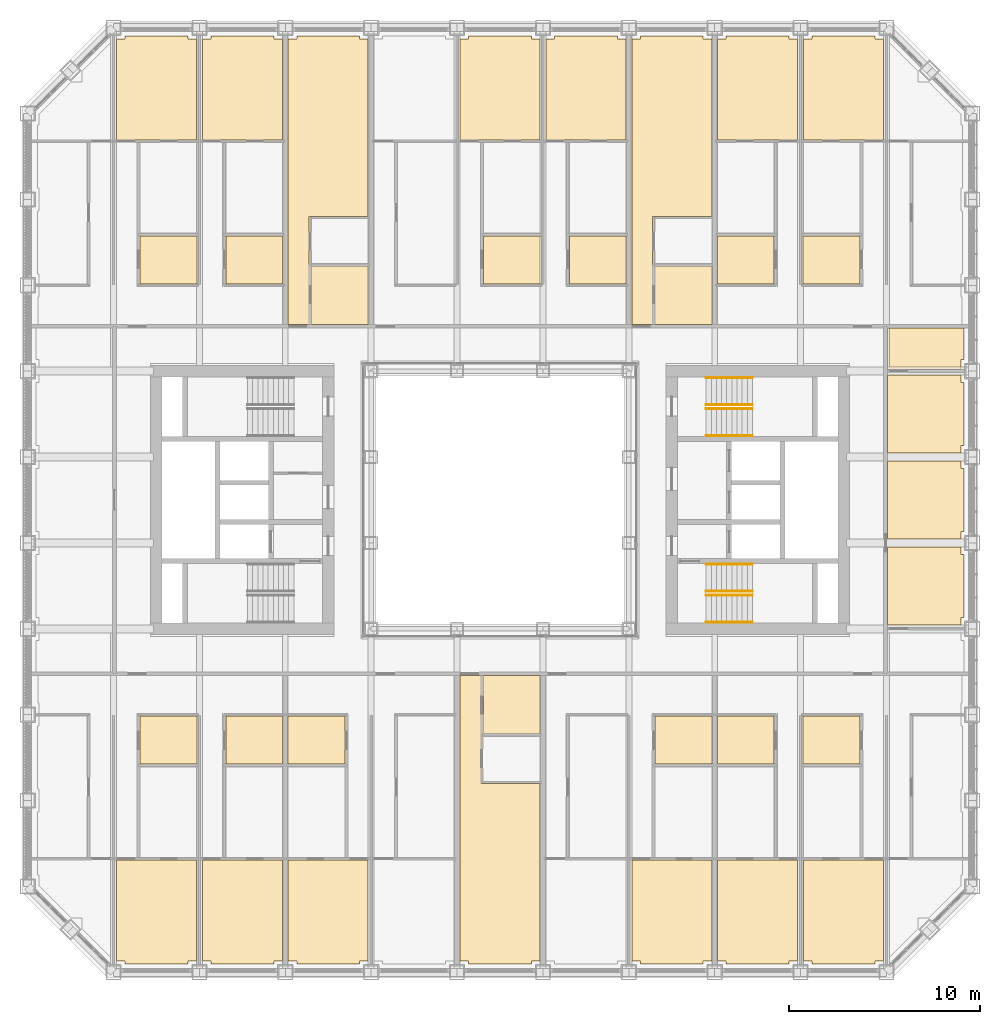
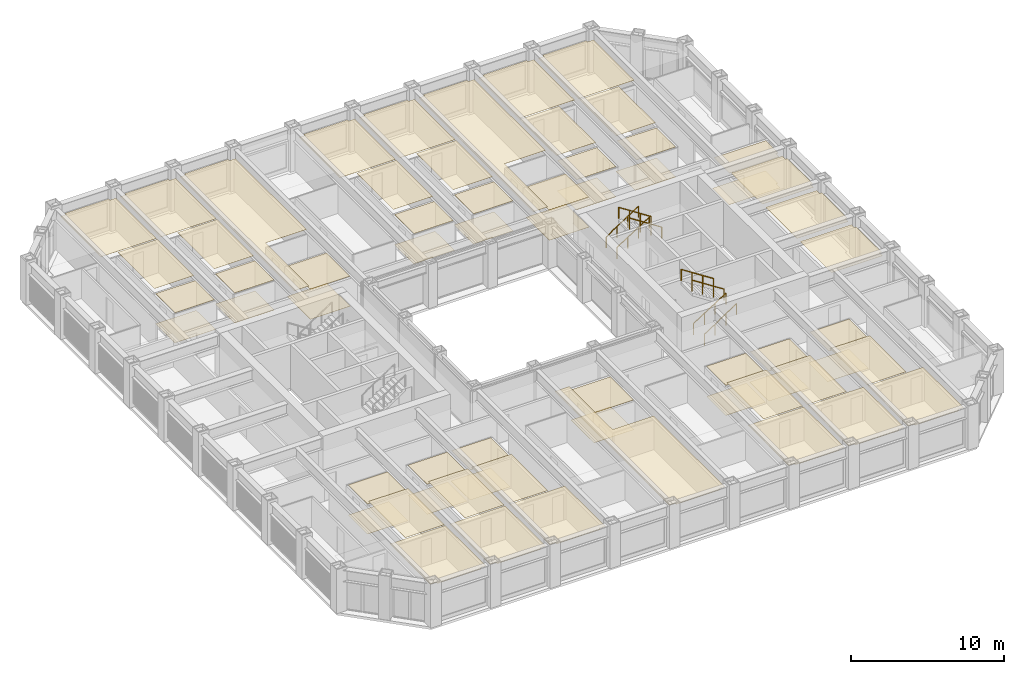
# One storey, part 19 of 20: 8 railings, 3 coverings.
"""IFC4 building model written with IfcOpenShell, lengths in metres."""

from ifc_helpers import new_model, si_unit, direction, frame, origin, origin_2d, place, context, subcontext, project, spatial, line, indexed_curve, circle, outline, extrude, material, layer, layer_set, type_object, element, save


model = new_model("IFC4")

# Units and contexts
model_context = context("Model", 3, precision=1e-05, world=origin(), true_north=direction((0.0, 1.0)))
body_context = subcontext(model_context, "Body", "Model", "MODEL_VIEW")
ifc_project = project(units=[si_unit("LENGTHUNIT", "METRE"), si_unit("AREAUNIT", "SQUARE_METRE"), si_unit("VOLUMEUNIT", "CUBIC_METRE"), si_unit("PLANEANGLEUNIT", "RADIAN"), si_unit("MASSUNIT", "GRAM", prefix="KILO")], contexts=[model_context])

# Site, building, storey
site_placement = place(None, origin())
site = spatial("IfcSite", under=ifc_project, at=site_placement, CompositionType="ELEMENT")
building_placement = place(site_placement, origin())
building = spatial("IfcBuilding", under=site, at=building_placement, Name="Msasa Ring Tower", CompositionType="ELEMENT")
storey_placement = place(building_placement, frame((0.0, 0.0, 58.0)))
storey = spatial("IfcBuildingStorey", under=building, at=storey_placement, Name="L14", CompositionType="ELEMENT", Elevation=58.0)

# Coverings
ifc_material_1 = material(Name="Gypsum plasterboard on a steel suspension grid", Category="steel")
ifc_layer_1 = layer(ifc_material_1, 0.014892578125)
ifc_layer_set_1 = layer_set([ifc_layer_1], Name="C1 SUSPENDED PLASTERBOARD CEILING 15")
covering_type_1 = type_object("IfcCoveringType", Name="C1 SUSPENDED PLASTERBOARD CEILING 15", PredefinedType="CEILING", material=ifc_layer_set_1)
covering_1_placement = place(storey_placement, frame((0.0, 0.0, 2.699951171875)))
element("IfcCovering", 1, at=covering_1_placement, inside=storey, type_object=covering_type_1, Name="Suspended Plasterboard Ceiling 15 L14", PredefinedType="CEILING", context=body_context, shape_type="SweptSolid", body=[
    extrude(outline(indexed_curve([(-15.904296875, -18.85546875), (-15.904296875, -24.1494140625), (-16.3505859375, -24.1494140625), (-16.3505859375, -24.299560546875), (-19.6494140625, -24.299560546875), (-19.6494140625, -24.1494140625), (-20.095703125, -24.1494140625), (-20.095703125, -18.85546875)], segments=[line(1, 2, 3, 4, 5, 6, 7, 8, 1)], self_intersect=False)), origin(), (0.0, 0.0, 1.0), 0.01513671875),
    extrude(outline(indexed_curve([(-20.095703125, 18.85546875), (-20.095703125, 24.1494140625), (-19.6494140625, 24.1494140625), (-19.6494140625, 24.299560546875), (-16.3505859375, 24.299560546875), (-16.3505859375, 24.1494140625), (-15.904296875, 24.1494140625), (-15.904296875, 18.85546875)], segments=[line(1, 2, 3, 4, 5, 6, 7, 8, 1)], self_intersect=False)), origin(), (0.0, 0.0, 1.0), 0.01513671875),
    extrude(outline(indexed_curve([(-15.904296875, -13.98046875), (-15.904296875, -18.744384765625), (-18.869384765625, -18.744384765625), (-18.869384765625, -13.98046875)], segments=[line(1, 2, 3, 4, 1)], self_intersect=False)), origin(), (0.0, 0.0, 1.0), 0.01513671875),
    extrude(outline(indexed_curve([(-18.869384765625, 18.744384765625), (-15.904296875, 18.744384765625), (-15.904296875, 13.98046875), (-18.869384765625, 13.98046875)], segments=[line(1, 2, 3, 4, 1)], self_intersect=False)), origin(), (0.0, 0.0, 1.0), 0.01513671875),
    extrude(outline(indexed_curve([(-15.1494140625, -24.299560546875), (-15.1494140625, -24.1494140625), (-15.595703125, -24.1494140625), (-15.595703125, -18.85546875), (-11.404296875, -18.85546875), (-11.404296875, -24.1494140625), (-11.8505859375, -24.1494140625), (-11.8505859375, -24.299560546875)], segments=[line(1, 2, 3, 4, 5, 6, 7, 8, 1)], self_intersect=False)), origin(), (0.0, 0.0, 1.0), 0.01513671875),
    extrude(outline(indexed_curve([(-11.8505859375, 24.299560546875), (-11.8505859375, 24.1494140625), (-11.404296875, 24.1494140625), (-11.404296875, 18.85546875), (-15.595703125, 18.85546875), (-15.595703125, 24.1494140625), (-15.1494140625, 24.1494140625), (-15.1494140625, 24.299560546875)], segments=[line(1, 2, 3, 4, 5, 6, 7, 8, 1)], self_intersect=False)), origin(), (0.0, 0.0, 1.0), 0.01513671875),
    extrude(outline(indexed_curve([(-11.404296875, -13.98046875), (-11.404296875, -18.744384765625), (-14.369384765625, -18.744384765625), (-14.369384765625, -13.98046875)], segments=[line(1, 2, 3, 4, 1)], self_intersect=False)), origin(), (0.0, 0.0, 1.0), 0.01513671875),
    extrude(outline(indexed_curve([(-11.404296875, 18.744384765625), (-11.404296875, 13.98046875), (-14.369384765625, 13.98046875), (-14.369384765625, 18.744384765625)], segments=[line(1, 2, 3, 4, 1)], self_intersect=False)), origin(), (0.0, 0.0, 1.0), 0.01513671875),
    extrude(outline(indexed_curve([(-10.6494140625, -24.299560546875), (-10.6494140625, -24.1494140625), (-11.095703125, -24.1494140625), (-11.095703125, -18.85546875), (-6.904296875, -18.85546875), (-6.904296875, -24.1494140625), (-7.3505859375, -24.1494140625), (-7.3505859375, -24.299560546875)], segments=[line(1, 2, 3, 4, 5, 6, 7, 8, 1)], self_intersect=False)), origin(), (0.0, 0.0, 1.0), 0.01513671875),
    extrude(outline(indexed_curve([(-8.130615234375, -13.98046875), (-8.130615234375, -18.744384765625), (-11.095703125, -18.744384765625), (-11.095703125, -13.98046875)], segments=[line(1, 2, 3, 4, 1)], self_intersect=False)), origin(), (0.0, 0.0, 1.0), 0.01513671875),
    extrude(outline(indexed_curve([(-7.3505859375, 24.299560546875), (-7.3505859375, 24.1494140625), (-6.904296875, 24.1494140625), (-6.904296875, 14.8505859375), (-10.00048828125, 14.8505859375), (-10.00048828125, 9.200439453125), (-11.095703125, 9.200439453125), (-11.095703125, 24.1494140625), (-10.6494140625, 24.1494140625), (-10.6494140625, 24.299560546875)], segments=[line(1, 2, 3, 4, 5, 6, 7, 8, 9, 10, 1)], self_intersect=False)), origin(), (0.0, 0.0, 1.0), 0.01513671875),
    extrude(outline(indexed_curve([(-1.00048828125, -9.200439453125), (-1.00048828125, -14.8505859375), (2.095703125, -14.8505859375), (2.095703125, -24.1494140625), (1.6494140625, -24.1494140625), (1.6494140625, -24.299560546875), (-1.6494140625, -24.299560546875), (-1.6494140625, -24.1494140625), (-2.095703125, -24.1494140625), (-2.095703125, -9.200439453125)], segments=[line(1, 2, 3, 4, 5, 6, 7, 8, 9, 10, 1)], self_intersect=False)), origin(), (0.0, 0.0, 1.0), 0.01513671875),
    extrude(outline(indexed_curve([(1.6494140625, 24.299560546875), (1.6494140625, 24.1494140625), (2.095703125, 24.1494140625), (2.095703125, 18.85546875), (-2.095703125, 18.85546875), (-2.095703125, 24.1494140625), (-1.6494140625, 24.1494140625), (-1.6494140625, 24.299560546875)], segments=[line(1, 2, 3, 4, 5, 6, 7, 8, 1)], self_intersect=False)), origin(), (0.0, 0.0, 1.0), 0.01513671875),
    extrude(outline(indexed_curve([(2.095703125, 18.744384765625), (2.095703125, 13.98046875), (-0.869384765625, 13.98046875), (-0.869384765625, 18.744384765625)], segments=[line(1, 2, 3, 4, 1)], self_intersect=False)), origin(), (0.0, 0.0, 1.0), 0.01513671875),
    extrude(outline(indexed_curve([(6.1494140625, 24.299560546875), (6.1494140625, 24.1494140625), (6.595703125, 24.1494140625), (6.595703125, 18.85546875), (2.404296875, 18.85546875), (2.404296875, 24.1494140625), (2.8505859375, 24.1494140625), (2.8505859375, 24.299560546875)], segments=[line(1, 2, 3, 4, 5, 6, 7, 8, 1)], self_intersect=False)), origin(), (0.0, 0.0, 1.0), 0.01513671875),
    extrude(outline(indexed_curve([(3.630615234375, 18.744384765625), (6.595703125, 18.744384765625), (6.595703125, 13.98046875), (3.630615234375, 13.98046875)], segments=[line(1, 2, 3, 4, 1)], self_intersect=False)), origin(), (0.0, 0.0, 1.0), 0.01513671875),
    extrude(outline(indexed_curve([(11.095703125, -18.85546875), (11.095703125, -24.1494140625), (10.6494140625, -24.1494140625), (10.6494140625, -24.299560546875), (7.3505859375, -24.299560546875), (7.3505859375, -24.1494140625), (6.904296875, -24.1494140625), (6.904296875, -18.85546875)], segments=[line(1, 2, 3, 4, 5, 6, 7, 8, 1)], self_intersect=False)), origin(), (0.0, 0.0, 1.0), 0.01513671875),
    extrude(outline(indexed_curve([(10.6494140625, 24.299560546875), (10.6494140625, 24.1494140625), (11.095703125, 24.1494140625), (11.095703125, 14.8505859375), (7.99951171875, 14.8505859375), (7.99951171875, 9.200439453125), (6.904296875, 9.200439453125), (6.904296875, 24.1494140625), (7.3505859375, 24.1494140625), (7.3505859375, 24.299560546875)], segments=[line(1, 2, 3, 4, 5, 6, 7, 8, 9, 10, 1)], self_intersect=False)), origin(), (0.0, 0.0, 1.0), 0.01513671875),
    extrude(outline(indexed_curve([(11.095703125, -13.98046875), (11.095703125, -18.744384765625), (8.130615234375, -18.744384765625), (8.130615234375, -13.98046875)], segments=[line(1, 2, 3, 4, 1)], self_intersect=False)), origin(), (0.0, 0.0, 1.0), 0.01513671875),
    extrude(outline(indexed_curve([(11.8505859375, -24.299560546875), (11.8505859375, -24.1494140625), (11.404296875, -24.1494140625), (11.404296875, -18.85546875), (15.595703125, -18.85546875), (15.595703125, -24.1494140625), (15.1494140625, -24.1494140625), (15.1494140625, -24.299560546875)], segments=[line(1, 2, 3, 4, 5, 6, 7, 8, 1)], self_intersect=False)), origin(), (0.0, 0.0, 1.0), 0.01513671875),
    extrude(outline(indexed_curve([(14.369384765625, -13.98046875), (14.369384765625, -18.744384765625), (11.404296875, -18.744384765625), (11.404296875, -13.98046875)], segments=[line(1, 2, 3, 4, 1)], self_intersect=False)), origin(), (0.0, 0.0, 1.0), 0.01513671875),
    extrude(outline(indexed_curve([(14.369384765625, 18.744384765625), (14.369384765625, 13.98046875), (11.404296875, 13.98046875), (11.404296875, 18.744384765625)], segments=[line(1, 2, 3, 4, 1)], self_intersect=False)), origin(), (0.0, 0.0, 1.0), 0.01513671875),
    extrude(outline(indexed_curve([(15.1494140625, 24.299560546875), (15.1494140625, 24.1494140625), (15.595703125, 24.1494140625), (15.595703125, 18.85546875), (11.404296875, 18.85546875), (11.404296875, 24.1494140625), (11.8505859375, 24.1494140625), (11.8505859375, 24.299560546875)], segments=[line(1, 2, 3, 4, 5, 6, 7, 8, 1)], self_intersect=False)), origin(), (0.0, 0.0, 1.0), 0.01513671875),
    extrude(outline(indexed_curve([(20.095703125, -18.85546875), (20.095703125, -24.1494140625), (19.6494140625, -24.1494140625), (19.6494140625, -24.299560546875), (16.3505859375, -24.299560546875), (16.3505859375, -24.1494140625), (15.904296875, -24.1494140625), (15.904296875, -18.85546875)], segments=[line(1, 2, 3, 4, 5, 6, 7, 8, 1)], self_intersect=False)), origin(), (0.0, 0.0, 1.0), 0.01513671875),
    extrude(outline(indexed_curve([(18.869384765625, -13.98046875), (18.869384765625, -18.744384765625), (15.904296875, -18.744384765625), (15.904296875, -13.98046875)], segments=[line(1, 2, 3, 4, 1)], self_intersect=False)), origin(), (0.0, 0.0, 1.0), 0.01513671875),
    extrude(outline(indexed_curve([(18.869384765625, 18.744384765625), (18.869384765625, 13.98046875), (15.904296875, 13.98046875), (15.904296875, 18.744384765625)], segments=[line(1, 2, 3, 4, 1)], self_intersect=False)), origin(), (0.0, 0.0, 1.0), 0.01513671875),
    extrude(outline(indexed_curve([(15.904296875, 18.85546875), (15.904296875, 24.1494140625), (16.3505859375, 24.1494140625), (16.3505859375, 24.299560546875), (19.6494140625, 24.299560546875), (19.6494140625, 24.1494140625), (20.095703125, 24.1494140625), (20.095703125, 18.85546875)], segments=[line(1, 2, 3, 4, 5, 6, 7, 8, 1)], self_intersect=False)), origin(), (0.0, 0.0, 1.0), 0.01513671875),
    extrude(outline(indexed_curve([(20.300537109375, -2.460693359375), (24.1494140625, -2.460693359375), (24.1494140625, -2.8505859375), (24.299560546875, -2.8505859375), (24.299560546875, -6.1494140625), (24.1494140625, -6.1494140625), (24.1494140625, -6.539306640625), (20.300537109375, -6.539306640625)], segments=[line(1, 2, 3, 4, 5, 6, 7, 8, 1)], self_intersect=False)), origin(), (0.0, 0.0, 1.0), 0.01513671875),
    extrude(outline(indexed_curve([(20.300537109375, 2.039306640625), (24.1494140625, 2.039306640625), (24.1494140625, 1.6494140625), (24.299560546875, 1.6494140625), (24.299560546875, -1.6494140625), (24.1494140625, -1.6494140625), (24.1494140625, -2.039306640625), (20.300537109375, -2.039306640625)], segments=[line(1, 2, 3, 4, 5, 6, 7, 8, 1)], self_intersect=False)), origin(), (0.0, 0.0, 1.0), 0.01513671875),
    extrude(outline(indexed_curve([(20.300537109375, 6.539306640625), (24.1494140625, 6.539306640625), (24.1494140625, 6.1494140625), (24.299560546875, 6.1494140625), (24.299560546875, 2.8505859375), (24.1494140625, 2.8505859375), (24.1494140625, 2.460693359375), (20.300537109375, 2.460693359375)], segments=[line(1, 2, 3, 4, 5, 6, 7, 8, 1)], self_intersect=False)), origin(), (0.0, 0.0, 1.0), 0.01513671875),
])
ifc_material_2 = material(Name="Moisture-resistant gypsum plasterboard on a steel suspension grid", Category="steel")
ifc_layer_2 = layer(ifc_material_2, 0.014892578125)
ifc_layer_set_2 = layer_set([ifc_layer_2], Name="C2 MOISTURE-RESISTANT PLASTERBOARD CEILING 15")
covering_type_2 = type_object("IfcCoveringType", Name="C2 MOISTURE-RESISTANT PLASTERBOARD CEILING 15", PredefinedType="CEILING", material=ifc_layer_set_2)
covering_2_placement = place(storey_placement, frame((0.0, 0.0, 2.39990234375)))
element("IfcCovering", 2, at=covering_2_placement, inside=storey, type_object=covering_type_2, Name="Moisture-Resistant Plasterboard Ceiling 15 L14", PredefinedType="CEILING", context=body_context, shape_type="SweptSolid", body=[
    extrude(outline(indexed_curve([(-18.869384765625, -11.305419921875), (-15.904296875, -11.305419921875), (-15.904296875, -13.819580078125), (-18.869384765625, -13.819580078125)], segments=[line(1, 2, 3, 4, 1)], self_intersect=False)), origin(), (0.0, 0.0, 1.0), 0.01513671875),
    extrude(outline(indexed_curve([(-18.869384765625, 13.819580078125), (-15.904296875, 13.819580078125), (-15.904296875, 11.305419921875), (-18.869384765625, 11.305419921875)], segments=[line(1, 2, 3, 4, 1)], self_intersect=False)), origin(), (0.0, 0.0, 1.0), 0.01513671875),
    extrude(outline(indexed_curve([(-14.369384765625, -11.305419921875), (-11.404296875, -11.305419921875), (-11.404296875, -13.819580078125), (-14.369384765625, -13.819580078125)], segments=[line(1, 2, 3, 4, 1)], self_intersect=False)), origin(), (0.0, 0.0, 1.0), 0.01513671875),
    extrude(outline(indexed_curve([(-14.369384765625, 13.819580078125), (-11.404296875, 13.819580078125), (-11.404296875, 11.305419921875), (-14.369384765625, 11.305419921875)], segments=[line(1, 2, 3, 4, 1)], self_intersect=False)), origin(), (0.0, 0.0, 1.0), 0.01513671875),
    extrude(outline(indexed_curve([(-8.130615234375, -11.305419921875), (-8.130615234375, -13.819580078125), (-11.095703125, -13.819580078125), (-11.095703125, -11.305419921875)], segments=[line(1, 2, 3, 4, 1)], self_intersect=False)), origin(), (0.0, 0.0, 1.0), 0.01513671875),
    extrude(outline(indexed_curve([(-9.8994140625, 12.24951171875), (-6.904296875, 12.24951171875), (-6.904296875, 9.200439453125), (-9.8994140625, 9.200439453125)], segments=[line(1, 2, 3, 4, 1)], self_intersect=False)), origin(), (0.0, 0.0, 1.0), 0.01513671875),
    extrude(outline(indexed_curve([(-0.8994140625, -9.200439453125), (2.095703125, -9.200439453125), (2.095703125, -12.24951171875), (-0.8994140625, -12.24951171875)], segments=[line(1, 2, 3, 4, 1)], self_intersect=False)), origin(), (0.0, 0.0, 1.0), 0.01513671875),
    extrude(outline(indexed_curve([(-0.869384765625, 13.819580078125), (2.095703125, 13.819580078125), (2.095703125, 11.305419921875), (-0.869384765625, 11.305419921875)], segments=[line(1, 2, 3, 4, 1)], self_intersect=False)), origin(), (0.0, 0.0, 1.0), 0.01513671875),
    extrude(outline(indexed_curve([(3.630615234375, 13.819580078125), (6.595703125, 13.819580078125), (6.595703125, 11.305419921875), (3.630615234375, 11.305419921875)], segments=[line(1, 2, 3, 4, 1)], self_intersect=False)), origin(), (0.0, 0.0, 1.0), 0.01513671875),
    extrude(outline(indexed_curve([(8.1005859375, 12.24951171875), (11.095703125, 12.24951171875), (11.095703125, 9.200439453125), (8.1005859375, 9.200439453125)], segments=[line(1, 2, 3, 4, 1)], self_intersect=False)), origin(), (0.0, 0.0, 1.0), 0.01513671875),
    extrude(outline(indexed_curve([(8.130615234375, -11.305419921875), (11.095703125, -11.305419921875), (11.095703125, -13.819580078125), (8.130615234375, -13.819580078125)], segments=[line(1, 2, 3, 4, 1)], self_intersect=False)), origin(), (0.0, 0.0, 1.0), 0.01513671875),
    extrude(outline(indexed_curve([(14.369384765625, -11.305419921875), (14.369384765625, -13.819580078125), (11.404296875, -13.819580078125), (11.404296875, -11.305419921875)], segments=[line(1, 2, 3, 4, 1)], self_intersect=False)), origin(), (0.0, 0.0, 1.0), 0.01513671875),
    extrude(outline(indexed_curve([(14.369384765625, 13.819580078125), (14.369384765625, 11.305419921875), (11.404296875, 11.305419921875), (11.404296875, 13.819580078125)], segments=[line(1, 2, 3, 4, 1)], self_intersect=False)), origin(), (0.0, 0.0, 1.0), 0.01513671875),
    extrude(outline(indexed_curve([(18.869384765625, -11.305419921875), (18.869384765625, -13.819580078125), (15.904296875, -13.819580078125), (15.904296875, -11.305419921875)], segments=[line(1, 2, 3, 4, 1)], self_intersect=False)), origin(), (0.0, 0.0, 1.0), 0.01513671875),
    extrude(outline(indexed_curve([(18.869384765625, 13.819580078125), (18.869384765625, 11.305419921875), (15.904296875, 11.305419921875), (15.904296875, 13.819580078125)], segments=[line(1, 2, 3, 4, 1)], self_intersect=False)), origin(), (0.0, 0.0, 1.0), 0.01513671875),
    extrude(outline(indexed_curve([(24.299560546875, 8.99951171875), (24.299560546875, 7.3505859375), (24.1494140625, 7.3505859375), (24.1494140625, 6.960693359375), (20.404296875, 6.960693359375), (20.404296875, 8.99951171875)], segments=[line(1, 2, 3, 4, 5, 6, 1)], self_intersect=False)), origin(), (0.0, 0.0, 1.0), 0.01513671875),
])
ifc_material_3 = material(Name="Porcelain floor tiles in adhesive", Category="ceramic")
ifc_layer_3 = layer(ifc_material_3, 0.010009765625)
ifc_layer_set_3 = layer_set([ifc_layer_3], Name="F4 PORCELAIN TILE ON ADHESIVE 10")
covering_type_3 = type_object("IfcCoveringType", Name="F4 PORCELAIN TILE ON ADHESIVE 10", PredefinedType="FLOORING", material=ifc_layer_set_3)
covering_3_placement = place(storey_placement, origin())
element("IfcCovering", 3, at=covering_3_placement, inside=storey, type_object=covering_type_3, Name="Porcelain Tile On Adhesive 10 L14", PredefinedType="FLOORING", context=body_context, shape_type="SweptSolid", body=[
    extrude(outline(indexed_curve([(-15.810546875, -11.305419921875), (-15.810546875, -13.819580078125), (-18.869384765625, -13.819580078125), (-18.869384765625, -11.305419921875)], segments=[line(1, 2, 3, 4, 1)], self_intersect=False)), origin(), (0.0, 0.0, 1.0), 0.010009765625),
    extrude(outline(indexed_curve([(-15.810546875, 13.819580078125), (-15.810546875, 11.305419921875), (-18.869384765625, 11.305419921875), (-18.869384765625, 13.819580078125)], segments=[line(1, 2, 3, 4, 1)], self_intersect=False)), origin(), (0.0, 0.0, 1.0), 0.010009765625),
    extrude(outline(indexed_curve([(-11.37548828125, -11.305419921875), (-11.37548828125, -13.819580078125), (-14.369384765625, -13.819580078125), (-14.369384765625, -11.305419921875)], segments=[line(1, 2, 3, 4, 1)], self_intersect=False)), origin(), (0.0, 0.0, 1.0), 0.010009765625),
    extrude(outline(indexed_curve([(-11.37548828125, 13.819580078125), (-11.37548828125, 11.305419921875), (-14.369384765625, 11.305419921875), (-14.369384765625, 13.819580078125)], segments=[line(1, 2, 3, 4, 1)], self_intersect=False)), origin(), (0.0, 0.0, 1.0), 0.010009765625),
    extrude(outline(indexed_curve([(-8.130615234375, -11.305419921875), (-8.130615234375, -13.819580078125), (-11.12451171875, -13.819580078125), (-11.12451171875, -11.305419921875)], segments=[line(1, 2, 3, 4, 1)], self_intersect=False)), origin(), (0.0, 0.0, 1.0), 0.010009765625),
    extrude(outline(indexed_curve([(-9.87451171875, 9.200439453125), (-9.87451171875, 12.224609375), (-6.87548828125, 12.224609375), (-6.87548828125, 9.200439453125)], segments=[line(1, 2, 3, 4, 1)], self_intersect=False)), origin(), (0.0, 0.0, 1.0), 0.010009765625),
    extrude(outline(indexed_curve([(2.12451171875, -9.200439453125), (2.12451171875, -12.224609375), (-0.87451171875, -12.224609375), (-0.87451171875, -9.200439453125)], segments=[line(1, 2, 3, 4, 1)], self_intersect=False)), origin(), (0.0, 0.0, 1.0), 0.010009765625),
    extrude(outline(indexed_curve([(2.189453125, 13.819580078125), (2.189453125, 11.305419921875), (-0.869384765625, 11.305419921875), (-0.869384765625, 13.819580078125)], segments=[line(1, 2, 3, 4, 1)], self_intersect=False)), origin(), (0.0, 0.0, 1.0), 0.010009765625),
    extrude(outline(indexed_curve([(6.62451171875, 13.819580078125), (6.62451171875, 11.305419921875), (3.630615234375, 11.305419921875), (3.630615234375, 13.819580078125)], segments=[line(1, 2, 3, 4, 1)], self_intersect=False)), origin(), (0.0, 0.0, 1.0), 0.010009765625),
    extrude(outline(indexed_curve([(8.12548828125, 9.200439453125), (8.12548828125, 12.224609375), (11.12451171875, 12.224609375), (11.12451171875, 9.200439453125)], segments=[line(1, 2, 3, 4, 1)], self_intersect=False)), origin(), (0.0, 0.0, 1.0), 0.010009765625),
    extrude(outline(indexed_curve([(11.12451171875, -11.305419921875), (11.12451171875, -13.819580078125), (8.130615234375, -13.819580078125), (8.130615234375, -11.305419921875)], segments=[line(1, 2, 3, 4, 1)], self_intersect=False)), origin(), (0.0, 0.0, 1.0), 0.010009765625),
    extrude(outline(indexed_curve([(14.369384765625, -11.305419921875), (14.369384765625, -13.819580078125), (11.37548828125, -13.819580078125), (11.37548828125, -11.305419921875)], segments=[line(1, 2, 3, 4, 1)], self_intersect=False)), origin(), (0.0, 0.0, 1.0), 0.010009765625),
    extrude(outline(indexed_curve([(14.369384765625, 13.819580078125), (14.369384765625, 11.305419921875), (11.37548828125, 11.305419921875), (11.37548828125, 13.819580078125)], segments=[line(1, 2, 3, 4, 1)], self_intersect=False)), origin(), (0.0, 0.0, 1.0), 0.010009765625),
    extrude(outline(indexed_curve([(18.869384765625, -11.305419921875), (18.869384765625, -13.819580078125), (15.810546875, -13.819580078125), (15.810546875, -11.305419921875)], segments=[line(1, 2, 3, 4, 1)], self_intersect=False)), origin(), (0.0, 0.0, 1.0), 0.010009765625),
    extrude(outline(indexed_curve([(18.869384765625, 13.819580078125), (18.869384765625, 11.305419921875), (15.810546875, 11.305419921875), (15.810546875, 13.819580078125)], segments=[line(1, 2, 3, 4, 1)], self_intersect=False)), origin(), (0.0, 0.0, 1.0), 0.010009765625),
    extrude(outline(indexed_curve([(20.300537109375, 8.99951171875), (24.299560546875, 8.99951171875), (24.299560546875, 7.3505859375), (24.1494140625, 7.3505859375), (24.1494140625, 6.83056640625), (20.300537109375, 6.83056640625)], segments=[line(1, 2, 3, 4, 5, 6, 1)], self_intersect=False)), origin(), (0.0, 0.0, 1.0), 0.010009765625),
])

# Railings
ifc_material_4 = material(Name="Stainless steel", Category="steel")
railing_type = type_object("IfcRailingType", Name="HR1 HANDRAIL 900", PredefinedType="HANDRAIL", material=ifc_material_4)
for number, where, name in (
    (4, (10.800048828125, -6.39990234375, 0.175048828125), "Handrail stair SEA L14 1"),
    (5, (10.800048828125, -5.0, 0.175048828125), "Handrail stair SEA L14 2"),
):
    element("IfcRailing", number, at=place(storey_placement, frame(where)), inside=storey, type_object=railing_type, Name=name, PredefinedType="HANDRAIL", context=body_context, shape_type="SweptSolid", body=[
        extrude(circle(Radius=0.02392578125, at=origin_2d()), frame((0.0, 0.0, 0.8759765625), z_axis=(0.839153699163, 0.0, 0.543894354798), x_axis=(0.0, 1.0, 0.0)), (0.0, 0.0, 1.0), 2.895751953125),
        extrude(circle(Radius=0.02099609375, at=origin_2d()), origin(), (0.0, 0.0, 1.0), 0.851806640625),
        extrude(circle(Radius=0.02099609375, at=origin_2d()), frame((0.81005859375, 0.0, 0.52490234375)), (0.0, 0.0, 1.0), 0.851806640625),
        extrude(circle(Radius=0.02099609375, at=origin_2d()), frame((1.619873046875, 0.0, 1.050048828125)), (0.0, 0.0, 1.0), 0.851806640625),
        extrude(circle(Radius=0.02099609375, at=origin_2d()), frame((2.429931640625, 0.0, 1.574951171875)), (0.0, 0.0, 1.0), 0.851806640625),
    ])
for number, where, name in (
    (6, (13.22998046875, -4.77490234375, 1.925048828125), "Handrail stair SEA L14 3"),
    (7, (13.22998046875, -3.375, 1.925048828125), "Handrail stair SEA L14 4"),
):
    element("IfcRailing", number, at=place(storey_placement, frame(where)), inside=storey, type_object=railing_type, Name=name, PredefinedType="HANDRAIL", context=body_context, shape_type="SweptSolid", body=[
        extrude(circle(Radius=0.02392578125, at=origin_2d()), frame((0.0, 0.0, 0.8759765625), z_axis=(-0.839153699163, 0.0, 0.543894354798), x_axis=(0.0, -1.0, 0.0)), (0.0, 0.0, 1.0), 2.895751953125),
        extrude(circle(Radius=0.02099609375, at=origin_2d()), origin(), (0.0, 0.0, 1.0), 0.851806640625),
        extrude(circle(Radius=0.02099609375, at=origin_2d()), frame((-0.81005859375, 0.0, 0.52490234375)), (0.0, 0.0, 1.0), 0.851806640625),
        extrude(circle(Radius=0.02099609375, at=origin_2d()), frame((-1.619873046875, 0.0, 1.050048828125)), (0.0, 0.0, 1.0), 0.851806640625),
        extrude(circle(Radius=0.02099609375, at=origin_2d()), frame((-2.429931640625, 0.0, 1.574951171875)), (0.0, 0.0, 1.0), 0.851806640625),
    ])
for number, where, name in (
    (8, (10.800048828125, 5.0, 0.175048828125), "Handrail stair SEB L14 1"),
    (9, (10.800048828125, 6.39990234375, 0.175048828125), "Handrail stair SEB L14 2"),
):
    element("IfcRailing", number, at=place(storey_placement, frame(where)), inside=storey, type_object=railing_type, Name=name, PredefinedType="HANDRAIL", context=body_context, shape_type="SweptSolid", body=[
        extrude(circle(Radius=0.02392578125, at=origin_2d()), frame((0.0, 0.0, 0.8759765625), z_axis=(0.839153699163, 0.0, 0.543894354798), x_axis=(0.0, 1.0, 0.0)), (0.0, 0.0, 1.0), 2.895751953125),
        extrude(circle(Radius=0.02099609375, at=origin_2d()), origin(), (0.0, 0.0, 1.0), 0.851806640625),
        extrude(circle(Radius=0.02099609375, at=origin_2d()), frame((0.81005859375, 0.0, 0.52490234375)), (0.0, 0.0, 1.0), 0.851806640625),
        extrude(circle(Radius=0.02099609375, at=origin_2d()), frame((1.619873046875, 0.0, 1.050048828125)), (0.0, 0.0, 1.0), 0.851806640625),
        extrude(circle(Radius=0.02099609375, at=origin_2d()), frame((2.429931640625, 0.0, 1.574951171875)), (0.0, 0.0, 1.0), 0.851806640625),
    ])
for number, where, name in (
    (10, (13.22998046875, 3.375, 1.925048828125), "Handrail stair SEB L14 3"),
    (11, (13.22998046875, 4.77490234375, 1.925048828125), "Handrail stair SEB L14 4"),
):
    element("IfcRailing", number, at=place(storey_placement, frame(where)), inside=storey, type_object=railing_type, Name=name, PredefinedType="HANDRAIL", context=body_context, shape_type="SweptSolid", body=[
        extrude(circle(Radius=0.02392578125, at=origin_2d()), frame((0.0, 0.0, 0.8759765625), z_axis=(-0.839153699163, 0.0, 0.543894354798), x_axis=(0.0, -1.0, 0.0)), (0.0, 0.0, 1.0), 2.895751953125),
        extrude(circle(Radius=0.02099609375, at=origin_2d()), origin(), (0.0, 0.0, 1.0), 0.851806640625),
        extrude(circle(Radius=0.02099609375, at=origin_2d()), frame((-0.81005859375, 0.0, 0.52490234375)), (0.0, 0.0, 1.0), 0.851806640625),
        extrude(circle(Radius=0.02099609375, at=origin_2d()), frame((-1.619873046875, 0.0, 1.050048828125)), (0.0, 0.0, 1.0), 0.851806640625),
        extrude(circle(Radius=0.02099609375, at=origin_2d()), frame((-2.429931640625, 0.0, 1.574951171875)), (0.0, 0.0, 1.0), 0.851806640625),
    ])

save(model, "model.ifc")
